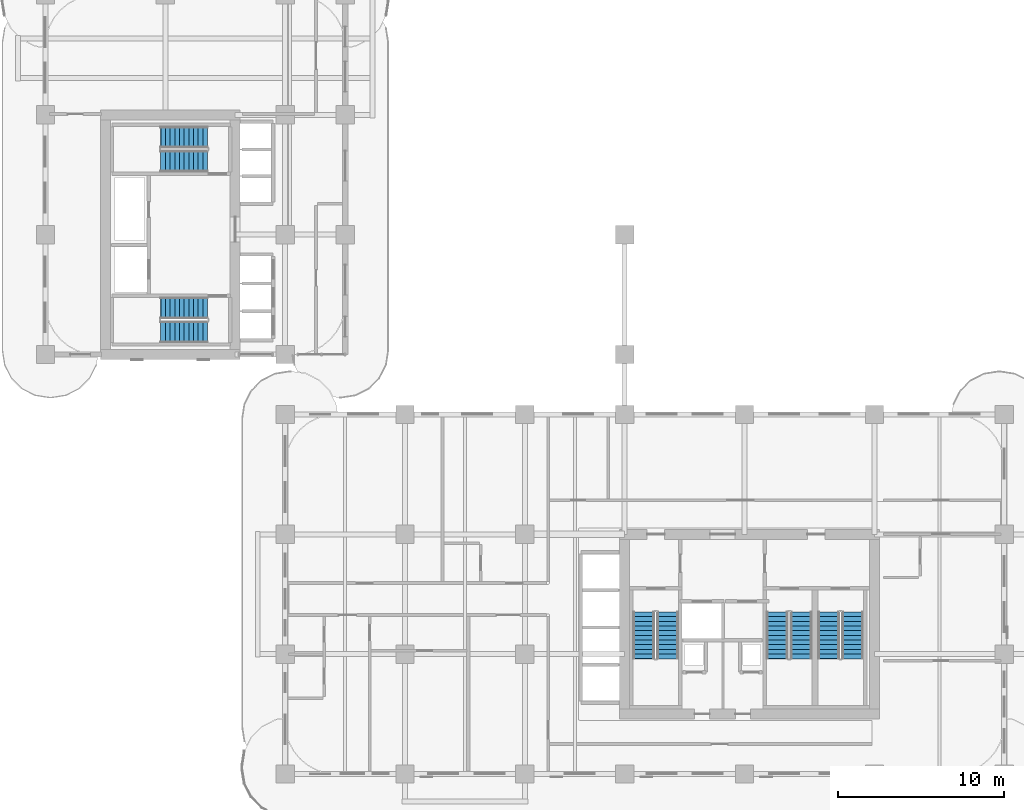
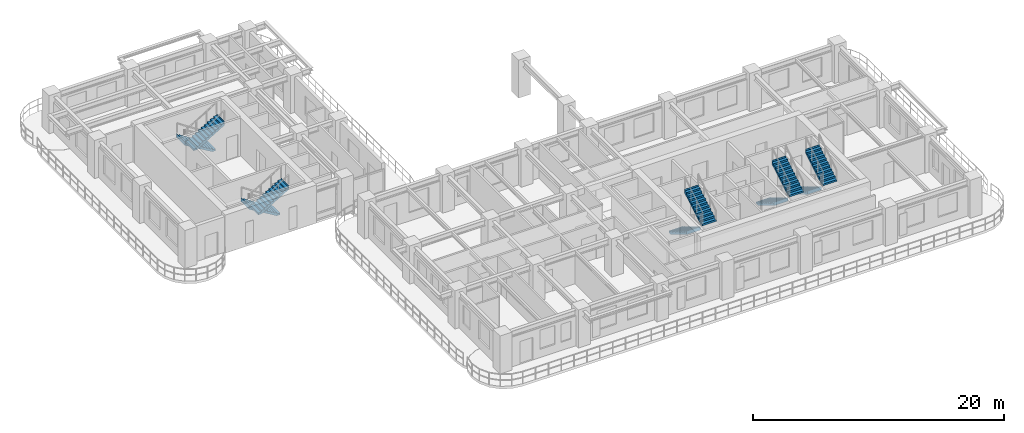
# One storey, part 12 of 19: 10 stair flights, 5 elements without a shape of their own.
"""IFC4 building model written with IfcOpenShell, lengths in metres."""

from ifc_helpers import new_model, si_unit, derived_unit, direction, frame, origin, place, context, subcontext, project, spatial, polyline, outline, extrude, source, transform, mapped, material, layer, layer_set, type_object, element, aggregate, save


model = new_model("IFC4")

# Units and contexts
model_context = context("Model", 3, precision=1e-05, world=origin(), true_north=direction((0.0, 1.0)))
body_context = subcontext(model_context, "Body", "Model", "MODEL_VIEW")
ifc_project = project(units=[si_unit("LENGTHUNIT", "METRE"), si_unit("AREAUNIT", "SQUARE_METRE"), si_unit("VOLUMEUNIT", "CUBIC_METRE"), si_unit("PLANEANGLEUNIT", "RADIAN"), si_unit("MASSUNIT", "GRAM", prefix="KILO"), si_unit("THERMODYNAMICTEMPERATUREUNIT", "KELVIN"), si_unit("POWERUNIT", "WATT"), derived_unit("THERMALTRANSMITTANCEUNIT", [(si_unit("POWERUNIT", "WATT"), 1), (si_unit("AREAUNIT", "SQUARE_METRE"), -1), (si_unit("THERMODYNAMICTEMPERATUREUNIT", "KELVIN"), -1)])], contexts=[model_context])

# Site, building, storey
site_placement = place(None, origin())
site = spatial("IfcSite", under=ifc_project, at=site_placement, CompositionType="ELEMENT")
building_placement = place(site_placement, origin())
building = spatial("IfcBuilding", under=site, at=building_placement, Name="Zahravan Archway Hotel and Residences", CompositionType="ELEMENT")
storey_placement = place(building_placement, frame((0.0, 0.0, 62.0)))
storey = spatial("IfcBuildingStorey", under=building, at=storey_placement, Name="L14", CompositionType="ELEMENT", Elevation=62.0)

# Stair, stair flights
ifc_material = material(Name="Concrete C50/60", Category="concrete")
stair_type = type_object("IfcStairType", Name="STR-CORE-1300", PredefinedType="HALF_TURN_STAIR", material=ifc_material)
stair_1_placement = place(storey_placement, origin())
stair_1 = element("IfcStair", 1, at=stair_1_placement, inside=storey, type_object=stair_type, Name="L14 Core A Exit Stair 1", PredefinedType="HALF_TURN_STAIR")
ifc_layer = layer(ifc_material, 0.199951171875, Name="Concrete C50/60", Category="concrete")
ifc_layer_set = layer_set([ifc_layer], Name="Concrete C50/60")
stair_flight_type = type_object("IfcStairFlightType", Name="SFL-CORE-1300", PredefinedType="STRAIGHT", material=ifc_layer_set)
shared_shape = source(origin(), body_context, "Body", "SweptSolid", [
    extrude(outline(polyline([(-0.01611328125, 0.0), (-0.01611328125, 0.168212890625), (0.280029296875, 0.168212890625), (0.280029296875, 0.33642578125), (0.56005859375, 0.33642578125), (0.56005859375, 0.504638671875), (0.840087890625, 0.504638671875), (0.840087890625, 0.672607421875), (1.1201171875, 0.672607421875), (1.1201171875, 0.8408203125), (1.39990234375, 0.8408203125), (1.39990234375, 1.009033203125), (1.679931640625, 1.009033203125), (1.679931640625, 1.17724609375), (1.9599609375, 1.17724609375), (1.9599609375, 1.345458984375), (2.239990234375, 1.345458984375), (2.239990234375, 1.513671875), (2.52001953125, 1.513671875), (2.52001953125, 1.681884765625), (2.800048828125, 1.681884765625), (2.800048828125, 1.85009765625), (2.816162109375, 1.85009765625), (2.816162109375, 1.5068359375), (0.291015625, 0.0), (-0.01611328125, 0.0)])), frame((0.0, 0.64990234375, 0.0), z_axis=(0.0, -1.0, 0.0), x_axis=(1.0, 0.0, 0.0)), (0.0, 0.0, 1.0), 1.300048828125),
])
stair_flight_1_placement = place(storey_placement, frame((35.949951171875, 9.72998046875, 0.0), z_axis=(0.0, 0.0, 1.0), x_axis=(0.0, -1.0, 0.0)))
stair_flight_1 = element("IfcStairFlight", 2, at=stair_flight_1_placement, type_object=stair_flight_type, Name="ST-A1 flight 1", NumberOfRisers=11, NumberOfTreads=10, PredefinedType="STRAIGHT", RiserHeight=0.168181818, TreadLength=0.28, context=body_context, shape_type="MappedRepresentation", body=[
    mapped(shared_shape, transform((0.0, 0.0, 0.0), scale=1.0)),
])
stair_flight_2_placement = place(storey_placement, frame((37.389892578125, 6.929931640625, 1.85009765625), z_axis=(0.0, 0.0, 1.0), x_axis=(0.0, 1.0, 0.0)))
stair_flight_2 = element("IfcStairFlight", 3, at=stair_flight_2_placement, type_object=stair_flight_type, Name="ST-A1 flight 2", NumberOfRisers=11, NumberOfTreads=10, PredefinedType="STRAIGHT", RiserHeight=0.168181818, TreadLength=0.28, context=body_context, shape_type="MappedRepresentation", body=[
    mapped(shared_shape, transform((0.0, 0.0, 0.0), scale=1.0)),
])
aggregate(stair_1, [stair_flight_1, stair_flight_2])

stair_2_placement = place(storey_placement, origin())
stair_2 = element("IfcStair", 4, at=stair_2_placement, inside=storey, type_object=stair_type, Name="L14 Core A Exit Stair 2", PredefinedType="HALF_TURN_STAIR")
stair_flight_3_placement = place(storey_placement, frame((43.969970703125, 9.72998046875, 0.0), z_axis=(0.0, 0.0, 1.0), x_axis=(0.0, -1.0, 0.0)))
stair_flight_3 = element("IfcStairFlight", 5, at=stair_flight_3_placement, type_object=stair_flight_type, Name="ST-A2 flight 1", NumberOfRisers=11, NumberOfTreads=10, PredefinedType="STRAIGHT", RiserHeight=0.168181818, TreadLength=0.28, context=body_context, shape_type="MappedRepresentation", body=[
    mapped(shared_shape, transform((0.0, 0.0, 0.0), scale=1.0)),
])
stair_flight_4_placement = place(storey_placement, frame((45.409912109375, 6.929931640625, 1.85009765625), z_axis=(0.0, 0.0, 1.0), x_axis=(0.0, 1.0, 0.0)))
stair_flight_4 = element("IfcStairFlight", 6, at=stair_flight_4_placement, type_object=stair_flight_type, Name="ST-A2 flight 2", NumberOfRisers=11, NumberOfTreads=10, PredefinedType="STRAIGHT", RiserHeight=0.168181818, TreadLength=0.28, context=body_context, shape_type="MappedRepresentation", body=[
    mapped(shared_shape, transform((0.0, 0.0, 0.0), scale=1.0)),
])
aggregate(stair_2, [stair_flight_3, stair_flight_4])

stair_3_placement = place(storey_placement, origin())
stair_3 = element("IfcStair", 7, at=stair_3_placement, inside=storey, type_object=stair_type, Name="L14 Core A Exit Stair 3", PredefinedType="HALF_TURN_STAIR")
stair_flight_5_placement = place(storey_placement, frame((47.050048828125, 9.72998046875, 0.0), z_axis=(0.0, 0.0, 1.0), x_axis=(0.0, -1.0, 0.0)))
stair_flight_5 = element("IfcStairFlight", 8, at=stair_flight_5_placement, type_object=stair_flight_type, Name="ST-A3 flight 1", NumberOfRisers=11, NumberOfTreads=10, PredefinedType="STRAIGHT", RiserHeight=0.168181818, TreadLength=0.28, context=body_context, shape_type="MappedRepresentation", body=[
    mapped(shared_shape, transform((0.0, 0.0, 0.0), scale=1.0)),
])
stair_flight_6_placement = place(storey_placement, frame((48.489990234375, 6.929931640625, 1.85009765625), z_axis=(0.0, 0.0, 1.0), x_axis=(0.0, 1.0, 0.0)))
stair_flight_6 = element("IfcStairFlight", 9, at=stair_flight_6_placement, type_object=stair_flight_type, Name="ST-A3 flight 2", NumberOfRisers=11, NumberOfTreads=10, PredefinedType="STRAIGHT", RiserHeight=0.168181818, TreadLength=0.28, context=body_context, shape_type="MappedRepresentation", body=[
    mapped(shared_shape, transform((0.0, 0.0, 0.0), scale=1.0)),
])
aggregate(stair_3, [stair_flight_5, stair_flight_6])

stair_4_placement = place(storey_placement, origin())
stair_4 = element("IfcStair", 10, at=stair_4_placement, inside=storey, type_object=stair_type, Name="L14 Core B Exit Stair 1", PredefinedType="HALF_TURN_STAIR")
stair_flight_7_placement = place(storey_placement, frame((9.72998046875, 27.989990234375, 0.0), z_axis=(0.0, 0.0, 1.0), x_axis=(-1.0, 0.0, 0.0)))
stair_flight_7 = element("IfcStairFlight", 11, at=stair_flight_7_placement, type_object=stair_flight_type, Name="ST-B1 flight 1", NumberOfRisers=11, NumberOfTreads=10, PredefinedType="STRAIGHT", RiserHeight=0.168181818, TreadLength=0.28, context=body_context, shape_type="MappedRepresentation", body=[
    mapped(shared_shape, transform((0.0, 0.0, 0.0), scale=1.0)),
])
stair_flight_8_placement = place(storey_placement, frame((6.929931640625, 26.550048828125, 1.85009765625), z_axis=(0.0, 0.0, 1.0), x_axis=(1.0, 0.0, 0.0)))
stair_flight_8 = element("IfcStairFlight", 12, at=stair_flight_8_placement, type_object=stair_flight_type, Name="ST-B1 flight 2", NumberOfRisers=11, NumberOfTreads=10, PredefinedType="STRAIGHT", RiserHeight=0.168181818, TreadLength=0.28, context=body_context, shape_type="MappedRepresentation", body=[
    mapped(shared_shape, transform((0.0, 0.0, 0.0), scale=1.0)),
])
aggregate(stair_4, [stair_flight_7, stair_flight_8])

stair_5_placement = place(storey_placement, origin())
stair_5 = element("IfcStair", 13, at=stair_5_placement, inside=storey, type_object=stair_type, Name="L14 Core B Exit Stair 2", PredefinedType="HALF_TURN_STAIR")
stair_flight_9_placement = place(storey_placement, frame((9.72998046875, 38.25, 0.0), z_axis=(0.0, 0.0, 1.0), x_axis=(-1.0, 0.0, 0.0)))
stair_flight_9 = element("IfcStairFlight", 14, at=stair_flight_9_placement, type_object=stair_flight_type, Name="ST-B2 flight 1", NumberOfRisers=11, NumberOfTreads=10, PredefinedType="STRAIGHT", RiserHeight=0.168181818, TreadLength=0.28, context=body_context, shape_type="MappedRepresentation", body=[
    mapped(shared_shape, transform((0.0, 0.0, 0.0), scale=1.0)),
])
stair_flight_10_placement = place(storey_placement, frame((6.929931640625, 36.81005859375, 1.85009765625), z_axis=(0.0, 0.0, 1.0), x_axis=(1.0, 0.0, 0.0)))
stair_flight_10 = element("IfcStairFlight", 15, at=stair_flight_10_placement, type_object=stair_flight_type, Name="ST-B2 flight 2", NumberOfRisers=11, NumberOfTreads=10, PredefinedType="STRAIGHT", RiserHeight=0.168181818, TreadLength=0.28, context=body_context, shape_type="MappedRepresentation", body=[
    mapped(shared_shape, transform((0.0, 0.0, 0.0), scale=1.0)),
])
aggregate(stair_5, [stair_flight_9, stair_flight_10])

save(model, "model.ifc")
